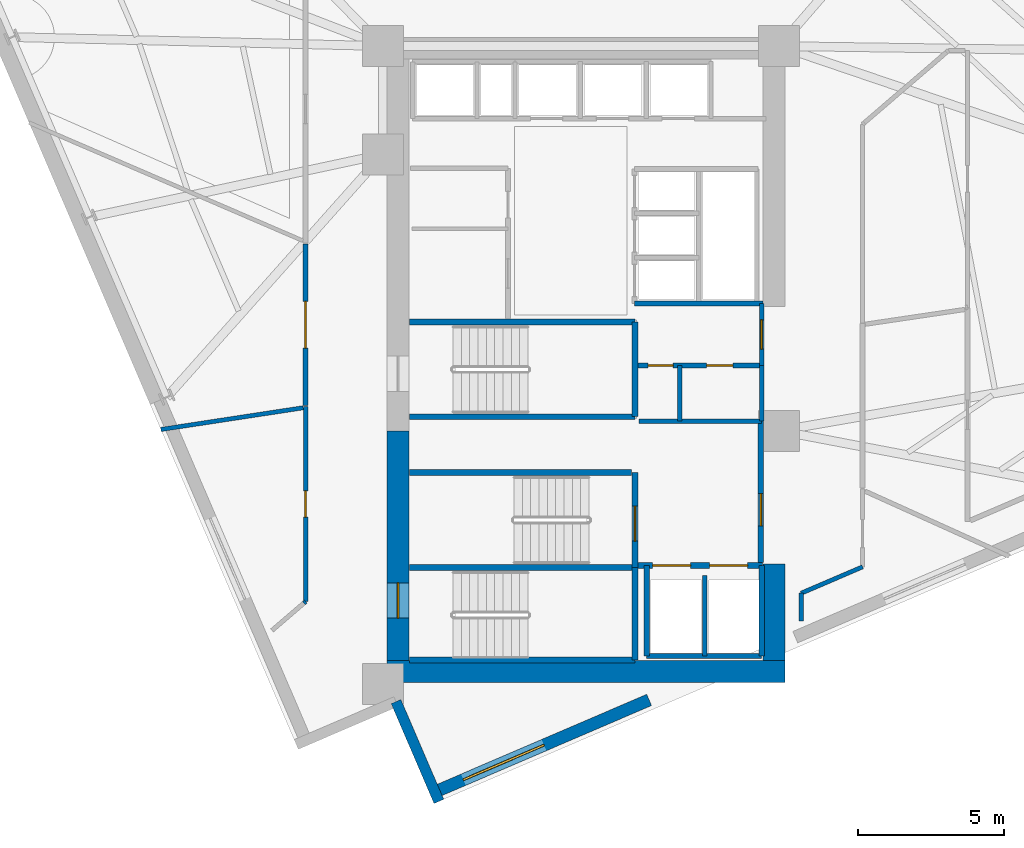
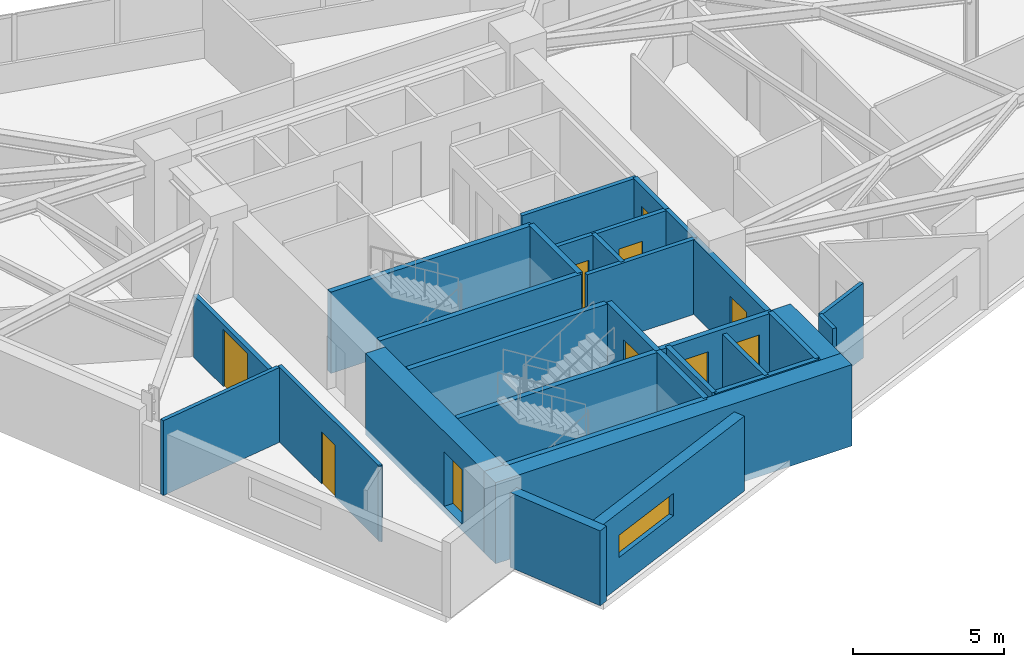
# One storey, part 9 of 14: 31 walls, 10 doors, 1 window, 11 openings.
"""IFC4 building model written with IfcOpenShell, lengths in metres."""

from ifc_helpers import new_model, si_unit, direction, frame, frame_2d, origin, place, context, subcontext, project, spatial, rectangle, extrude, material, layer, layer_set, type_object, element, fill, save


model = new_model("IFC4")

# Units and contexts
model_context = context("Model", 3, precision=1e-05, world=origin(), true_north=direction((0.0, 1.0)))
body_context = subcontext(model_context, "Body", "Model", "MODEL_VIEW")
ifc_project = project(units=[si_unit("LENGTHUNIT", "METRE"), si_unit("AREAUNIT", "SQUARE_METRE"), si_unit("VOLUMEUNIT", "CUBIC_METRE"), si_unit("PLANEANGLEUNIT", "RADIAN"), si_unit("MASSUNIT", "GRAM", prefix="KILO")], contexts=[model_context])

# Site, building, storey
site_placement = place(None, origin())
site = spatial("IfcSite", under=ifc_project, at=site_placement, CompositionType="ELEMENT")
building_placement = place(site_placement, origin())
building = spatial("IfcBuilding", under=site, at=building_placement, Name="Narakoshi Arena Tower", CompositionType="ELEMENT")
storey_placement = place(building_placement, frame((0.0, 0.0, 193.179931640625)))
storey = spatial("IfcBuildingStorey", under=building, at=storey_placement, Name="L52", CompositionType="ELEMENT", Elevation=193.179931640625)

# Wall, opening, door
ifc_material_1 = material(Name="Concrete C50/60", Category="concrete")
ifc_layer_1 = layer(ifc_material_1, 0.75)
ifc_layer_set_1 = layer_set([ifc_layer_1], Name="Concrete C50/60")
wall_type_1 = type_object("IfcWallType", Name="WL-CORE-750", PredefinedType="SHEAR", material=ifc_layer_set_1)
wall_1_placement = place(storey_placement, frame((72.52490234375, 35.5, -0.260009765625), z_axis=(0.0, 0.0, 1.0), x_axis=(0.0, 1.0, 0.0)))
wall_1 = element("IfcWall", 1, at=wall_1_placement, inside=storey, type_object=wall_type_1, Name="L52 Central Core Shear Wall CW-APX-W", PredefinedType="SHEAR", context=body_context, shape_type="SweptSolid", body=[
    extrude(rectangle(XDim=7.85009765625, YDim=0.75, at=frame_2d((3.925048828125, 0.0))), origin(), (0.0, 0.0, 1.0), 3.280029296875),
])
opening_1_placement = place(wall_1_placement, frame((1.449951171875, 0.0, 0.260009765625)))
opening_1 = element("IfcOpeningElement", 2, at=opening_1_placement, cuts=wall_1, Name="Opening D-03", PredefinedType="OPENING", context=body_context, shape_type="SweptSolid", body=[
    extrude(rectangle(XDim=1.199951171875, YDim=2.199951171875, at=frame_2d((0.60009765625, 1.10009765625))), frame((0.0, 0.385009765625, 0.0), z_axis=(0.0, -1.0, 0.0), x_axis=(1.0, 0.0, 0.0)), (0.0, 0.0, 1.0), 0.77001953125),
])
ifc_material_2 = material(Name="Painted galvanized steel", Category="steel")
door_type_1 = type_object("IfcDoorType", Name="DR-STR-1200", OperationType="NOTDEFINED", PredefinedType="USERDEFINED", material=ifc_material_2)
door_1_placement = place(opening_1_placement, frame((1.199951171875, 0.0, 0.0), z_axis=(0.0, 0.0, 1.0), x_axis=(-1.0, 0.0, 0.0)))
door_1 = element("IfcDoor", 3, at=door_1_placement, inside=storey, type_object=door_type_1, Name="DR-L52-001", ObjectType="EXITDOOR", OperationType="SINGLE_SWING_LEFT", OverallHeight=2.199951171875, OverallWidth=1.199951171875, PredefinedType="USERDEFINED", context=body_context, shape_type="SweptSolid", body=[
    extrude(rectangle(XDim=1.199951171875, YDim=2.199951171875, at=frame_2d((0.60009765625, 1.10009765625))), frame((0.0, 0.02490234375, 0.0), z_axis=(0.0, -1.0, 0.0), x_axis=(1.0, 0.0, 0.0)), (0.0, 0.0, 1.0), 0.050048828125),
])
fill(opening_1, door_1)

# Walls
wall_2_placement = place(storey_placement, frame((72.14990234375, 35.125, -0.260009765625), z_axis=(0.0, 0.0, 1.0), x_axis=(1.0, 0.0, 0.0)))
element("IfcWall", 4, at=wall_2_placement, inside=storey, type_object=wall_type_1, Name="L52 Central Core Shear Wall CW-APX-S", PredefinedType="SHEAR", context=body_context, shape_type="SweptSolid", body=[
    extrude(rectangle(XDim=13.60009765625, YDim=0.75, at=frame_2d((6.800048828125, 0.0))), origin(), (0.0, 0.0, 1.0), 3.280029296875),
])
wall_3_placement = place(storey_placement, frame((85.375, 35.5, -0.260009765625), z_axis=(0.0, 0.0, 1.0), x_axis=(0.0, 1.0, 0.0)))
element("IfcWall", 5, at=wall_3_placement, inside=storey, type_object=wall_type_1, Name="L52 Central Core Shear Wall CW-APX-E", PredefinedType="SHEAR", context=body_context, shape_type="SweptSolid", body=[
    extrude(rectangle(XDim=3.300048828125, YDim=0.75, at=frame_2d((1.64990234375, 0.0))), origin(), (0.0, 0.0, 1.0), 3.280029296875),
])

# Wall, opening, door
ifc_material_3 = material(Name="Gypsum plasterboard fire-rated partition")
ifc_layer_2 = layer(ifc_material_3, 0.1650390625)
ifc_layer_set_2 = layer_set([ifc_layer_2], Name="Gypsum plasterboard fire-rated partition")
wall_type_2 = type_object("IfcWallType", Name="WL-CORR-165", PredefinedType="PARTITIONING", material=ifc_layer_set_2)
wall_4_placement = place(storey_placement, frame((84.949951171875, 45.580078125, 0.0), z_axis=(0.0, 0.0, 1.0), x_axis=(0.0, 1.0, 0.0)))
wall_4 = element("IfcWall", 6, at=wall_4_placement, inside=storey, type_object=wall_type_2, Name="L52 Core Wall CPAS-E", PredefinedType="PARTITIONING", context=body_context, shape_type="SweptSolid", body=[
    extrude(rectangle(XDim=2.119873046875, YDim=0.1650390625, at=frame_2d((1.06005859375, 0.0))), origin(), (0.0, 0.0, 1.0), 3.02001953125),
])
opening_2_placement = place(wall_4_placement, frame((0.56005859375, 0.0, 0.0)))
opening_2 = element("IfcOpeningElement", 7, at=opening_2_placement, cuts=wall_4, Name="Opening D-06", PredefinedType="OPENING", context=body_context, shape_type="SweptSolid", body=[
    extrude(rectangle(XDim=1.0, YDim=2.199951171875, at=frame_2d((0.5, 1.10009765625))), frame((0.0, 0.092529296875, 0.0), z_axis=(0.0, -1.0, 0.0), x_axis=(1.0, 0.0, 0.0)), (0.0, 0.0, 1.0), 0.18505859375),
])
ifc_material_4 = material(Name="Stained oak solid-core timber", Category="wood")
door_type_2 = type_object("IfcDoorType", Name="DR-OFF-1000", OperationType="NOTDEFINED", PredefinedType="DOOR", material=ifc_material_4)
door_2_placement = place(opening_2_placement, frame((1.0, 0.0, 0.0), z_axis=(0.0, 0.0, 1.0), x_axis=(-1.0, 0.0, 0.0)))
door_2 = element("IfcDoor", 8, at=door_2_placement, inside=storey, type_object=door_type_2, Name="DR-L52-007", OperationType="SINGLE_SWING_LEFT", OverallHeight=2.199951171875, OverallWidth=1.0, PredefinedType="DOOR", context=body_context, shape_type="SweptSolid", body=[
    extrude(rectangle(XDim=1.0, YDim=2.199951171875, at=frame_2d((0.5, 1.10009765625))), frame((0.0, 0.02490234375, 0.0), z_axis=(0.0, -1.0, 0.0), x_axis=(1.0, 0.0, 0.0)), (0.0, 0.0, 1.0), 0.050048828125),
])
fill(opening_2, door_2)

wall_5_placement = place(storey_placement, frame((69.362548828125, 49.739501953125, 0.0), z_axis=(0.0, 0.0, 1.0), x_axis=(0.0, -1.0, 0.0)))
wall_5 = element("IfcWall", 9, at=wall_5_placement, inside=storey, type_object=wall_type_2, Name="L52 Corridor Partition 09-1", PredefinedType="PARTITIONING", context=body_context, shape_type="SweptSolid", body=[
    extrude(rectangle(XDim=5.529296875, YDim=0.1650390625, at=frame_2d((2.7646484375, 0.0))), origin(), (0.0, 0.0, 1.0), 2.505126953125),
])
opening_3_placement = place(wall_5_placement, frame((1.964599609375, 0.0, 0.0)))
opening_3 = element("IfcOpeningElement", 10, at=opening_3_placement, cuts=wall_5, Name="Opening D-05", PredefinedType="OPENING", context=body_context, shape_type="SweptSolid", body=[
    extrude(rectangle(XDim=1.60009765625, YDim=2.300048828125, at=frame_2d((0.800048828125, 1.14990234375))), frame((0.0, 0.092529296875, 0.0), z_axis=(0.0, -1.0, 0.0), x_axis=(1.0, 0.0, 0.0)), (0.0, 0.0, 1.0), 0.18505859375),
])
door_type_3 = type_object("IfcDoorType", Name="DR-STE-1600", OperationType="DOUBLE_DOOR_SINGLE_SWING", PredefinedType="DOOR", material=ifc_material_4)
door_3_placement = place(opening_3_placement, frame((1.60009765625, 0.0, 0.0), z_axis=(0.0, 0.0, 1.0), x_axis=(-1.0, 0.0, 0.0)))
door_3 = element("IfcDoor", 11, at=door_3_placement, inside=storey, type_object=door_type_3, Name="DR-L52-026", OperationType="DOUBLE_DOOR_SINGLE_SWING", OverallHeight=2.300048828125, OverallWidth=1.60009765625, PredefinedType="DOOR", context=body_context, shape_type="SweptSolid", body=[
    extrude(rectangle(XDim=1.60009765625, YDim=2.300048828125, at=frame_2d((0.800048828125, 1.14990234375))), frame((0.0, 0.02490234375, 0.0), z_axis=(0.0, -1.0, 0.0), x_axis=(1.0, 0.0, 0.0)), (0.0, 0.0, 1.0), 0.050048828125),
])
fill(opening_3, door_3)

# Wall, opening, window
ifc_material_5 = material(Name="Precast concrete C45/55", Category="concrete")
ifc_layer_3 = layer(ifc_material_5, 0.419921875)
ifc_layer_set_3 = layer_set([ifc_layer_3], Name="Precast concrete C45/55")
wall_type_3 = type_object("IfcWallType", Name="WL-POD-420", PredefinedType="SOLIDWALL", material=ifc_layer_set_3)
wall_6_placement = place(storey_placement, frame((73.77880859375, 31.002685546875, 0.0), z_axis=(0.0, 0.0, 1.0), x_axis=(0.918797817688, 0.394728476565, 0.0)))
wall_6 = element("IfcWall", 12, at=wall_6_placement, inside=storey, type_object=wall_type_3, Name="L52 Architectural Concrete Facade Wall LEGA-1", PredefinedType="SOLIDWALL", context=body_context, shape_type="SweptSolid", body=[
    extrude(rectangle(XDim=7.97314453125, YDim=0.419921875, at=frame_2d((3.986572265625, 0.0))), origin(), (0.0, 0.0, 1.0), 3.02001953125),
])
opening_4_placement = place(wall_6_placement, frame((1.06103515625, 0.0, 1.199951171875)))
opening_4 = element("IfcOpeningElement", 13, at=opening_4_placement, cuts=wall_6, Name="Opening WN-03", PredefinedType="OPENING", context=body_context, shape_type="SweptSolid", body=[
    extrude(rectangle(XDim=3.0, YDim=0.89990234375, at=frame_2d((1.5, 0.449951171875))), frame((0.0, 0.219970703125, 0.0), z_axis=(0.0, -1.0, 0.0), x_axis=(1.0, 0.0, 0.0)), (0.0, 0.0, 1.0), 0.43994140625),
])
ifc_material_6 = material(Name="Bronze-tinted low-E laminated glass", Category="glass")
window_type = type_object("IfcWindowType", Name="WIN-SLT-30x09", PartitioningType="SINGLE_PANEL", PredefinedType="WINDOW", material=ifc_material_6)
window_placement = place(opening_4_placement, origin())
window = element("IfcWindow", 14, at=window_placement, inside=storey, type_object=window_type, Name="L52 LEGA1 Horizontal Slot Window 1", OverallHeight=0.89990234375, OverallWidth=3.0, PartitioningType="SINGLE_PANEL", PredefinedType="WINDOW", context=body_context, shape_type="SweptSolid", body=[
    extrude(rectangle(XDim=3.0, YDim=0.89990234375, at=frame_2d((1.5, 0.449951171875))), frame((0.0, 0.030029296875, 0.0), z_axis=(0.0, -1.0, 0.0), x_axis=(1.0, 0.0, 0.0)), (0.0, 0.0, 1.0), 0.06005859375),
])
fill(opening_4, window)

# Walls
wall_7_placement = place(storey_placement, frame((72.451416015625, 34.09228515625, 0.0), z_axis=(0.0, 0.0, 1.0), x_axis=(0.394752464447, -0.918787511786, 0.0)))
element("IfcWall", 15, at=wall_7_placement, inside=storey, type_object=wall_type_3, Name="L52 Re-Entrant Corner Notch Wall NTA-2", PredefinedType="SOLIDWALL", context=body_context, shape_type="SweptSolid", body=[
    extrude(rectangle(XDim=3.712646484375, YDim=0.360107421875, at=frame_2d((1.8564453125, 0.0))), origin(), (0.0, 0.0, 1.0), 3.02001953125),
])
ifc_material_7 = material(Name="Concrete C40/50", Category="concrete")
ifc_layer_4 = layer(ifc_material_7, 0.280029296875)
ifc_layer_set_4 = layer_set([ifc_layer_4], Name="Concrete C40/50")
wall_type_4 = type_object("IfcWallType", Name="WL-RISER-280", PredefinedType="PLUMBINGWALL", material=ifc_layer_set_4)
wall_8_placement = place(storey_placement, frame((83.0, 35.64990234375, 0.0), z_axis=(0.0, 0.0, 1.0), x_axis=(0.0, 1.0, 0.0)))
element("IfcWall", 16, at=wall_8_placement, inside=storey, type_object=wall_type_4, Name="L52 Core Wall FF-DIV", PredefinedType="PLUMBINGWALL", context=body_context, shape_type="SweptSolid", body=[
    extrude(rectangle(XDim=2.75, YDim=0.159912109375, at=frame_2d((1.375, 0.0))), origin(), (0.0, 0.0, 1.0), 3.02001953125),
])
wall_9_placement = place(storey_placement, frame((84.949951171875, 43.679931640625, 0.0), z_axis=(0.0, 0.0, 1.0), x_axis=(0.0, 1.0, 0.0)))
element("IfcWall", 17, at=wall_9_placement, inside=storey, type_object=wall_type_4, Name="L52 Core Wall RSR-E", PredefinedType="PLUMBINGWALL", context=body_context, shape_type="SweptSolid", body=[
    extrude(rectangle(XDim=1.900146484375, YDim=0.1650390625, at=frame_2d((0.9501953125, 0.0))), origin(), (0.0, 0.0, 1.0), 3.02001953125),
])

# Wall, openings, doors
wall_10_placement = place(storey_placement, frame((80.719970703125, 45.580078125, 0.0), z_axis=(0.0, 0.0, 1.0), x_axis=(1.0, 0.0, 0.0)))
wall_10 = element("IfcWall", 18, at=wall_10_placement, inside=storey, type_object=wall_type_4, Name="L52 Core Wall RSR-N", PredefinedType="PLUMBINGWALL", context=body_context, shape_type="SweptSolid", body=[
    extrude(rectangle(XDim=4.22998046875, YDim=0.159912109375, at=frame_2d((2.114990234375, 0.0))), origin(), (0.0, 0.0, 1.0), 3.02001953125),
])
opening_5_placement = place(wall_10_placement, frame((0.35009765625, 0.0, 0.0)))
opening_5 = element("IfcOpeningElement", 19, at=opening_5_placement, cuts=wall_10, Name="Opening D-10", PredefinedType="OPENING", context=body_context, shape_type="SweptSolid", body=[
    extrude(rectangle(XDim=0.85009765625, YDim=2.050048828125, at=frame_2d((0.425048828125, 1.02490234375))), frame((0.0, 0.08984375, 0.0), z_axis=(0.0, -1.0, 0.0), x_axis=(1.0, 0.0, 0.0)), (0.0, 0.0, 1.0), 0.179931640625),
])
opening_6_placement = place(wall_10_placement, frame((2.35009765625, 0.0, 0.0)))
opening_6 = element("IfcOpeningElement", 20, at=opening_6_placement, cuts=wall_10, Name="Opening D-08", PredefinedType="OPENING", context=body_context, shape_type="SweptSolid", body=[
    extrude(rectangle(XDim=0.89990234375, YDim=2.10009765625, at=frame_2d((0.449951171875, 1.050048828125))), frame((0.0, 0.08984375, 0.0), z_axis=(0.0, -1.0, 0.0), x_axis=(1.0, 0.0, 0.0)), (0.0, 0.0, 1.0), 0.179931640625),
])
door_type_4 = type_object("IfcDoorType", Name="DR-RSR-850", OperationType="NOTDEFINED", PredefinedType="DOOR", material=ifc_material_2)
door_4_placement = place(opening_5_placement, frame((0.85009765625, 0.0, 0.0), z_axis=(0.0, 0.0, 1.0), x_axis=(-1.0, 0.0, 0.0)))
door_4 = element("IfcDoor", 21, at=door_4_placement, inside=storey, type_object=door_type_4, Name="DR-L52-008", OperationType="SINGLE_SWING_LEFT", OverallHeight=2.050048828125, OverallWidth=0.85009765625, PredefinedType="DOOR", context=body_context, shape_type="SweptSolid", body=[
    extrude(rectangle(XDim=0.85009765625, YDim=2.050048828125, at=frame_2d((0.425048828125, 1.02490234375))), frame((0.0, 0.02490234375, 0.0), z_axis=(0.0, -1.0, 0.0), x_axis=(1.0, 0.0, 0.0)), (0.0, 0.0, 1.0), 0.050048828125),
])
fill(opening_5, door_4)
ifc_material_8 = material(Name="Moisture-resistant laminate timber", Category="wood")
door_type_5 = type_object("IfcDoorType", Name="DR-WC-900", OperationType="NOTDEFINED", PredefinedType="DOOR", material=ifc_material_8)
door_5_placement = place(opening_6_placement, frame((0.89990234375, 0.0, 0.0), z_axis=(0.0, 0.0, 1.0), x_axis=(-1.0, 0.0, 0.0)))
door_5 = element("IfcDoor", 22, at=door_5_placement, inside=storey, type_object=door_type_5, Name="DR-L52-009", OperationType="SINGLE_SWING_RIGHT", OverallHeight=2.10009765625, OverallWidth=0.89990234375, PredefinedType="DOOR", context=body_context, shape_type="SweptSolid", body=[
    extrude(rectangle(XDim=0.89990234375, YDim=2.10009765625, at=frame_2d((0.449951171875, 1.050048828125))), frame((0.0, 0.02490234375, 0.0), z_axis=(0.0, -1.0, 0.0), x_axis=(1.0, 0.0, 0.0)), (0.0, 0.0, 1.0), 0.050048828125),
])
fill(opening_6, door_5)

# Walls
wall_11_placement = place(storey_placement, frame((80.760009765625, 43.679931640625, 0.0), z_axis=(0.0, 0.0, 1.0), x_axis=(1.0, 0.0, 0.0)))
element("IfcWall", 23, at=wall_11_placement, inside=storey, type_object=wall_type_4, Name="L52 Core Wall RSR-S", PredefinedType="PLUMBINGWALL", context=body_context, shape_type="SweptSolid", body=[
    extrude(rectangle(XDim=4.18994140625, YDim=0.159912109375, at=frame_2d((2.094970703125, 0.0))), origin(), (0.0, 0.0, 1.0), 3.02001953125),
])
wall_12_placement = place(storey_placement, frame((82.14990234375, 43.679931640625, 0.0), z_axis=(0.0, 0.0, 1.0), x_axis=(0.0, 1.0, 0.0)))
element("IfcWall", 24, at=wall_12_placement, inside=storey, type_object=wall_type_4, Name="L52 Core Wall RSR-M", PredefinedType="PLUMBINGWALL", context=body_context, shape_type="SweptSolid", body=[
    extrude(rectangle(XDim=1.900146484375, YDim=0.159912109375, at=frame_2d((0.9501953125, 0.0))), origin(), (0.0, 0.0, 1.0), 3.02001953125),
])
ifc_layer_5 = layer(ifc_material_1, 0.35009765625)
ifc_layer_set_5 = layer_set([ifc_layer_5], Name="Concrete C50/60")
wall_type_5 = type_object("IfcWallType", Name="WL-SHAFT-350", PredefinedType="SOLIDWALL", material=ifc_layer_set_5)
for number, where, z_axis, x_axis, name in (
    (25, (72.919921875, 35.52001953125, -0.260009765625), (0.0, 0.0, 1.0), (1.0, 0.0, 0.0), "L52 Core Wall ST1-S"),
    (26, (72.919921875, 38.675048828125, -0.260009765625), (0.0, 0.0, 1.0), (1.0, 0.0, 0.0), "L52 Core Wall ST12-DIV"),
):
    element("IfcWall", number, at=place(storey_placement, frame(where, z_axis=z_axis, x_axis=x_axis)), inside=storey, type_object=wall_type_5, Name=name, PredefinedType="SOLIDWALL", context=body_context, shape_type="SweptSolid", body=[
        extrude(rectangle(XDim=7.7001953125, YDim=0.199951171875, at=frame_2d((3.85009765625, 0.0))), origin(), (0.0, 0.0, 1.0), 3.280029296875),
    ])
wall_13_placement = place(storey_placement, frame((80.6201171875, 35.52001953125, -0.260009765625), z_axis=(0.0, 0.0, 1.0), x_axis=(0.0, 1.0, 0.0)))
element("IfcWall", 27, at=wall_13_placement, inside=storey, type_object=wall_type_5, Name="L52 Core Wall ST1-E", PredefinedType="SOLIDWALL", context=body_context, shape_type="SweptSolid", body=[
    extrude(rectangle(XDim=3.155029296875, YDim=0.199951171875, at=frame_2d((1.57763671875, 0.0))), origin(), (0.0, 0.0, 1.0), 3.280029296875),
])

# Wall, opening, door
wall_14_placement = place(storey_placement, frame((80.6201171875, 38.675048828125, -0.260009765625), z_axis=(0.0, 0.0, 1.0), x_axis=(0.0, 1.0, 0.0)))
wall_14 = element("IfcWall", 28, at=wall_14_placement, inside=storey, type_object=wall_type_5, Name="L52 Core Wall ST2-E", PredefinedType="SOLIDWALL", context=body_context, shape_type="SweptSolid", body=[
    extrude(rectangle(XDim=3.244873046875, YDim=0.199951171875, at=frame_2d((1.62255859375, 0.0))), origin(), (0.0, 0.0, 1.0), 3.280029296875),
])
opening_7_placement = place(wall_14_placement, frame((0.89990234375, 0.0, 0.260009765625)))
opening_7 = element("IfcOpeningElement", 29, at=opening_7_placement, cuts=wall_14, Name="Opening D-03", PredefinedType="OPENING", context=body_context, shape_type="SweptSolid", body=[
    extrude(rectangle(XDim=1.199951171875, YDim=2.199951171875, at=frame_2d((0.60009765625, 1.10009765625))), frame((0.0, 0.10986328125, 0.0), z_axis=(0.0, -1.0, 0.0), x_axis=(1.0, 0.0, 0.0)), (0.0, 0.0, 1.0), 0.219970703125),
])
door_6_placement = place(opening_7_placement, origin())
door_6 = element("IfcDoor", 30, at=door_6_placement, inside=storey, type_object=door_type_1, Name="DR-L52-002", ObjectType="EXITDOOR", OperationType="SINGLE_SWING_RIGHT", OverallHeight=2.199951171875, OverallWidth=1.199951171875, PredefinedType="USERDEFINED", context=body_context, shape_type="SweptSolid", body=[
    extrude(rectangle(XDim=1.199951171875, YDim=2.199951171875, at=frame_2d((0.60009765625, 1.10009765625))), frame((0.0, 0.02490234375, 0.0), z_axis=(0.0, -1.0, 0.0), x_axis=(1.0, 0.0, 0.0)), (0.0, 0.0, 1.0), 0.050048828125),
])
fill(opening_7, door_6)

# Wall, openings, doors
wall_15_placement = place(storey_placement, frame((80.719970703125, 38.75, 0.0), z_axis=(0.0, 0.0, 1.0), x_axis=(1.0, 0.0, 0.0)))
wall_15 = element("IfcWall", 31, at=wall_15_placement, inside=storey, type_object=wall_type_5, Name="L52 Core Wall FF-N", PredefinedType="SOLIDWALL", context=body_context, shape_type="SweptSolid", body=[
    extrude(rectangle(XDim=4.260009765625, YDim=0.199951171875, at=frame_2d((2.1298828125, 0.0))), origin(), (0.0, 0.0, 1.0), 3.02001953125),
])
opening_8_placement = place(wall_15_placement, frame((0.5, 0.0, 0.0)))
opening_8 = element("IfcOpeningElement", 32, at=opening_8_placement, cuts=wall_15, Name="Opening LD-02", PredefinedType="OPENING", context=body_context, shape_type="SweptSolid", body=[
    extrude(rectangle(XDim=1.300048828125, YDim=2.300048828125, at=frame_2d((0.64990234375, 1.14990234375))), frame((0.0, 0.10986328125, 0.0), z_axis=(0.0, -1.0, 0.0), x_axis=(1.0, 0.0, 0.0)), (0.0, 0.0, 1.0), 0.219970703125),
])
opening_9_placement = place(wall_15_placement, frame((2.449951171875, 0.0, 0.0)))
opening_9 = element("IfcOpeningElement", 33, at=opening_9_placement, cuts=wall_15, Name="Opening LD-02", PredefinedType="OPENING", context=body_context, shape_type="SweptSolid", body=[
    extrude(rectangle(XDim=1.300048828125, YDim=2.300048828125, at=frame_2d((0.64990234375, 1.14990234375))), frame((0.0, 0.10986328125, 0.0), z_axis=(0.0, -1.0, 0.0), x_axis=(1.0, 0.0, 0.0)), (0.0, 0.0, 1.0), 0.219970703125),
])
ifc_material_9 = material(Name="Brushed bronze stainless steel", Category="steel")
door_type_6 = type_object("IfcDoorType", Name="DR-LFT-1300", OperationType="DOUBLE_DOOR_SLIDING", PredefinedType="DOOR", material=ifc_material_9)
door_7_placement = place(opening_8_placement, origin())
door_7 = element("IfcDoor", 34, at=door_7_placement, inside=storey, type_object=door_type_6, Name="DR-L52-003", OperationType="DOUBLE_DOOR_SLIDING", OverallHeight=2.300048828125, OverallWidth=1.300048828125, PredefinedType="DOOR", context=body_context, shape_type="SweptSolid", body=[
    extrude(rectangle(XDim=1.300048828125, YDim=2.300048828125, at=frame_2d((0.64990234375, 1.14990234375))), frame((0.0, 0.02490234375, 0.0), z_axis=(0.0, -1.0, 0.0), x_axis=(1.0, 0.0, 0.0)), (0.0, 0.0, 1.0), 0.050048828125),
])
fill(opening_8, door_7)
door_8_placement = place(opening_9_placement, origin())
door_8 = element("IfcDoor", 35, at=door_8_placement, inside=storey, type_object=door_type_6, Name="DR-L52-004", OperationType="DOUBLE_DOOR_SLIDING", OverallHeight=2.300048828125, OverallWidth=1.300048828125, PredefinedType="DOOR", context=body_context, shape_type="SweptSolid", body=[
    extrude(rectangle(XDim=1.300048828125, YDim=2.300048828125, at=frame_2d((0.64990234375, 1.14990234375))), frame((0.0, 0.02490234375, 0.0), z_axis=(0.0, -1.0, 0.0), x_axis=(1.0, 0.0, 0.0)), (0.0, 0.0, 1.0), 0.050048828125),
])
fill(opening_9, door_8)

# Walls
for number, where, z_axis, x_axis, name in (
    (36, (84.949951171875, 35.64990234375, 0.0), (0.0, 0.0, 1.0), (0.0, 1.0, 0.0), "L52 Core Wall FF-E"),
    (37, (81.02001953125, 35.64990234375, 0.0), (0.0, 0.0, 1.0), (0.0, 1.0, 0.0), "L52 Core Wall FF-W"),
):
    element("IfcWall", number, at=place(storey_placement, frame(where, z_axis=z_axis, x_axis=x_axis)), inside=storey, type_object=wall_type_5, Name=name, PredefinedType="SOLIDWALL", context=body_context, shape_type="SweptSolid", body=[
        extrude(rectangle(XDim=3.10009765625, YDim=0.179931640625, at=frame_2d((1.550048828125, 0.0))), origin(), (0.0, 0.0, 1.0), 3.02001953125),
    ])
wall_16_placement = place(storey_placement, frame((81.02001953125, 35.64990234375, 0.0), z_axis=(0.0, 0.0, 1.0), x_axis=(1.0, 0.0, 0.0)))
element("IfcWall", 38, at=wall_16_placement, inside=storey, type_object=wall_type_5, Name="L52 Core Wall FF-S", PredefinedType="SOLIDWALL", context=body_context, shape_type="SweptSolid", body=[
    extrude(rectangle(XDim=3.929931640625, YDim=0.179931640625, at=frame_2d((1.96484375, 0.0))), origin(), (0.0, 0.0, 1.0), 3.02001953125),
])

# Wall, opening, door
wall_17_placement = place(storey_placement, frame((84.919921875, 38.85009765625, 0.0), z_axis=(0.0, 0.0, 1.0), x_axis=(0.0, 1.0, 0.0)))
wall_17 = element("IfcWall", 39, at=wall_17_placement, inside=storey, type_object=wall_type_5, Name="L52 Core Wall FFLOB-E", PredefinedType="SOLIDWALL", context=body_context, shape_type="SweptSolid", body=[
    extrude(rectangle(XDim=4.829833984375, YDim=0.199951171875, at=frame_2d((2.4150390625, 0.0))), origin(), (0.0, 0.0, 1.0), 3.02001953125),
])
opening_10_placement = place(wall_17_placement, frame((1.25, 0.0, 0.0)))
opening_10 = element("IfcOpeningElement", 40, at=opening_10_placement, cuts=wall_17, Name="Opening D-04", PredefinedType="OPENING", context=body_context, shape_type="SweptSolid", body=[
    extrude(rectangle(XDim=1.10009765625, YDim=2.199951171875, at=frame_2d((0.550048828125, 1.10009765625))), frame((0.0, 0.10986328125, 0.0), z_axis=(0.0, -1.0, 0.0), x_axis=(1.0, 0.0, 0.0)), (0.0, 0.0, 1.0), 0.219970703125),
])
door_type_7 = type_object("IfcDoorType", Name="DR-FFL-1100", OperationType="NOTDEFINED", PredefinedType="DOOR", material=ifc_material_2)
door_9_placement = place(opening_10_placement, frame((1.10009765625, 0.0, 0.0), z_axis=(0.0, 0.0, 1.0), x_axis=(-1.0, 0.0, 0.0)))
door_9 = element("IfcDoor", 41, at=door_9_placement, inside=storey, type_object=door_type_7, Name="DR-L52-005", OperationType="SINGLE_SWING_RIGHT", OverallHeight=2.199951171875, OverallWidth=1.10009765625, PredefinedType="DOOR", context=body_context, shape_type="SweptSolid", body=[
    extrude(rectangle(XDim=1.10009765625, YDim=2.199951171875, at=frame_2d((0.550048828125, 1.10009765625))), frame((0.0, 0.02490234375, 0.0), z_axis=(0.0, -1.0, 0.0), x_axis=(1.0, 0.0, 0.0)), (0.0, 0.0, 1.0), 0.050048828125),
])
fill(opening_10, door_9)

# Walls
wall_18_placement = place(storey_placement, frame((72.919921875, 41.919921875, -0.260009765625), z_axis=(0.0, 0.0, 1.0), x_axis=(1.0, 0.0, 0.0)))
element("IfcWall", 42, at=wall_18_placement, inside=storey, type_object=wall_type_5, Name="L52 Core Wall ST2-N", PredefinedType="SOLIDWALL", context=body_context, shape_type="SweptSolid", body=[
    extrude(rectangle(XDim=7.580078125, YDim=0.199951171875, at=frame_2d((3.7900390625, 0.0))), origin(), (0.0, 0.0, 1.0), 3.280029296875),
])
for number, where, z_axis, x_axis, name in (
    (43, (72.919921875, 43.830078125, -0.260009765625), (0.0, 0.0, 1.0), (1.0, 0.0, 0.0), "L52 Core Wall ST3-S"),
    (44, (72.919921875, 47.070068359375, -0.260009765625), (0.0, 0.0, 1.0), (1.0, 0.0, 0.0), "L52 Core Wall ST3-N"),
):
    element("IfcWall", number, at=place(storey_placement, frame(where, z_axis=z_axis, x_axis=x_axis)), inside=storey, type_object=wall_type_5, Name=name, PredefinedType="SOLIDWALL", context=body_context, shape_type="SweptSolid", body=[
        extrude(rectangle(XDim=7.7001953125, YDim=0.199951171875, at=frame_2d((3.85009765625, 0.0))), origin(), (0.0, 0.0, 1.0), 3.280029296875),
    ])
wall_19_placement = place(storey_placement, frame((80.6201171875, 43.830078125, -0.260009765625), z_axis=(0.0, 0.0, 1.0), x_axis=(0.0, 1.0, 0.0)))
element("IfcWall", 45, at=wall_19_placement, inside=storey, type_object=wall_type_5, Name="L52 Core Wall ST3-E", PredefinedType="SOLIDWALL", context=body_context, shape_type="SweptSolid", body=[
    extrude(rectangle(XDim=3.239990234375, YDim=0.199951171875, at=frame_2d((1.6201171875, 0.0))), origin(), (0.0, 0.0, 1.0), 3.280029296875),
])
wall_20_placement = place(storey_placement, frame((80.60009765625, 47.699951171875, 0.0), z_axis=(0.0, 0.0, 1.0), x_axis=(1.0, 0.0, 0.0)))
element("IfcWall", 46, at=wall_20_placement, inside=storey, type_object=wall_type_5, Name="L52 Core Wall MR-S", PredefinedType="SOLIDWALL", context=body_context, shape_type="SweptSolid", body=[
    extrude(rectangle(XDim=4.39990234375, YDim=0.159912109375, at=frame_2d((2.199951171875, 0.0))), origin(), (0.0, 0.0, 1.0), 3.02001953125),
])

# Wall, opening, door
ifc_material_10 = material(Name="Moisture-resistant cement-board partition")
ifc_layer_6 = layer(ifc_material_10, 0.14501953125)
ifc_layer_set_6 = layer_set([ifc_layer_6], Name="Moisture-resistant cement-board partition")
wall_type_6 = type_object("IfcWallType", Name="WL-WET-145", PredefinedType="PARTITIONING", material=ifc_layer_set_6)
wall_21_placement = place(storey_placement, frame((69.362548828125, 44.185791015625, 0.0), z_axis=(0.0, 0.0, 1.0), x_axis=(0.0, -1.0, 0.0)))
wall_21 = element("IfcWall", 47, at=wall_21_placement, inside=storey, type_object=wall_type_6, Name="L52 Corridor Partition 01-1", PredefinedType="PARTITIONING", context=body_context, shape_type="SweptSolid", body=[
    extrude(rectangle(XDim=6.673095703125, YDim=0.14501953125, at=frame_2d((3.33642578125, 0.0))), origin(), (0.0, 0.0, 1.0), 3.02001953125),
])
opening_11_placement = place(wall_21_placement, frame((2.88671875, 0.0, 0.0)))
opening_11 = element("IfcOpeningElement", 48, at=opening_11_placement, cuts=wall_21, Name="Opening D-08", PredefinedType="OPENING", context=body_context, shape_type="SweptSolid", body=[
    extrude(rectangle(XDim=0.89990234375, YDim=2.10009765625, at=frame_2d((0.449951171875, 1.050048828125))), frame((0.0, 0.08251953125, 0.0), z_axis=(0.0, -1.0, 0.0), x_axis=(1.0, 0.0, 0.0)), (0.0, 0.0, 1.0), 0.1650390625),
])
door_10_placement = place(opening_11_placement, frame((0.89990234375, 0.0, 0.0), z_axis=(0.0, 0.0, 1.0), x_axis=(-1.0, 0.0, 0.0)))
door_10 = element("IfcDoor", 49, at=door_10_placement, inside=storey, type_object=door_type_5, Name="DR-L52-018", OperationType="SINGLE_SWING_RIGHT", OverallHeight=2.10009765625, OverallWidth=0.89990234375, PredefinedType="DOOR", context=body_context, shape_type="SweptSolid", body=[
    extrude(rectangle(XDim=0.89990234375, YDim=2.10009765625, at=frame_2d((0.449951171875, 1.050048828125))), frame((0.0, 0.02490234375, 0.0), z_axis=(0.0, -1.0, 0.0), x_axis=(1.0, 0.0, 0.0)), (0.0, 0.0, 1.0), 0.050048828125),
])
fill(opening_11, door_10)

# Walls
wall_22_placement = place(storey_placement, frame((69.362548828125, 37.5126953125, 0.0), z_axis=(0.0, 0.0, 1.0), x_axis=(-0.759038758193, -0.651045438938, 0.0)))
element("IfcWall", 50, at=wall_22_placement, inside=storey, type_object=wall_type_6, Name="L52 Corridor Partition 01-2", PredefinedType="PARTITIONING", context=body_context, shape_type="SweptSolid", body=[
    extrude(rectangle(XDim=0.0791015625, YDim=0.14501953125, at=frame_2d((0.03955078125, 0.0))), origin(), (0.0, 0.0, 1.0), 3.02001953125),
])
wall_23_placement = place(storey_placement, frame((64.414306640625, 43.393798828125, 0.0), z_axis=(0.0, 0.0, 1.0), x_axis=(0.988542020395, 0.150945930431, 0.0)))
element("IfcWall", 51, at=wall_23_placement, inside=storey, type_object=wall_type_6, Name="L52 Inter-Room Partition 01-09", PredefinedType="PARTITIONING", context=body_context, shape_type="SweptSolid", body=[
    extrude(rectangle(XDim=4.920166015625, YDim=0.14501953125, at=frame_2d((2.4599609375, 0.0))), origin(), (0.0, 0.0, 1.0), 3.02001953125),
])
wall_24_placement = place(storey_placement, frame((86.300048828125, 37.797119140625, 0.0), z_axis=(0.0, 0.0, 1.0), x_axis=(0.918802105609, 0.39471849555, 0.0)))
element("IfcWall", 52, at=wall_24_placement, inside=storey, type_object=wall_type_6, Name="L52 Corridor Partition 02-2", PredefinedType="PARTITIONING", context=body_context, shape_type="SweptSolid", body=[
    extrude(rectangle(XDim=2.285400390625, YDim=0.14501953125, at=frame_2d((1.142578125, 0.0))), origin(), (0.0, 0.0, 1.0), 3.02001953125),
])
wall_25_placement = place(storey_placement, frame((86.300048828125, 36.85009765625, 0.0), z_axis=(0.0, 0.0, 1.0), x_axis=(0.0, 1.0, 0.0)))
element("IfcWall", 53, at=wall_25_placement, inside=storey, type_object=wall_type_6, Name="L52 Room Enclosure Partition 02-1", PredefinedType="PARTITIONING", context=body_context, shape_type="SweptSolid", body=[
    extrude(rectangle(XDim=0.947021484375, YDim=0.14501953125, at=frame_2d((0.4736328125, 0.0))), origin(), (0.0, 0.0, 1.0), 3.02001953125),
])

save(model, "model.ifc")
